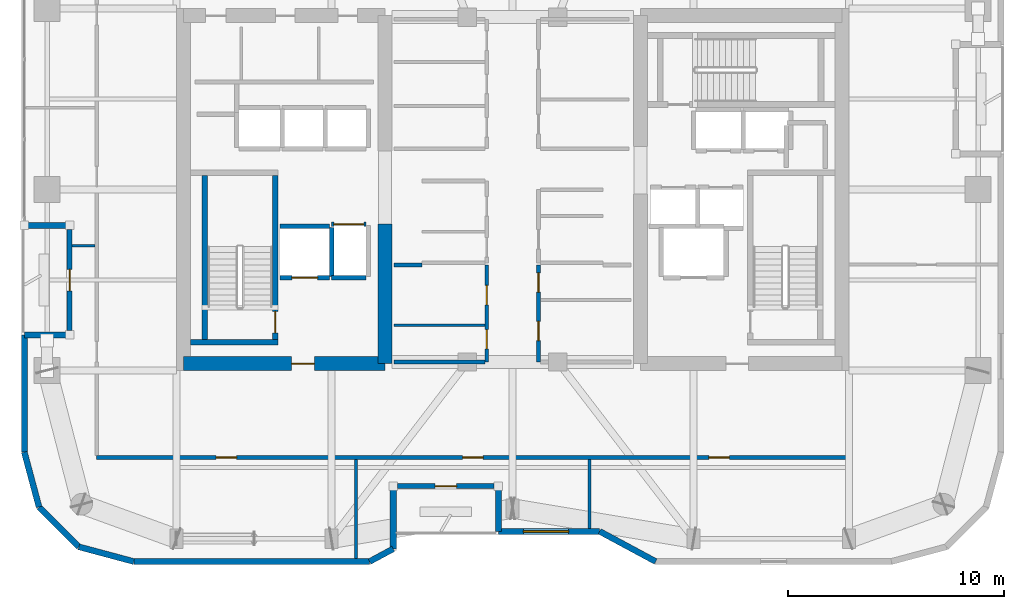
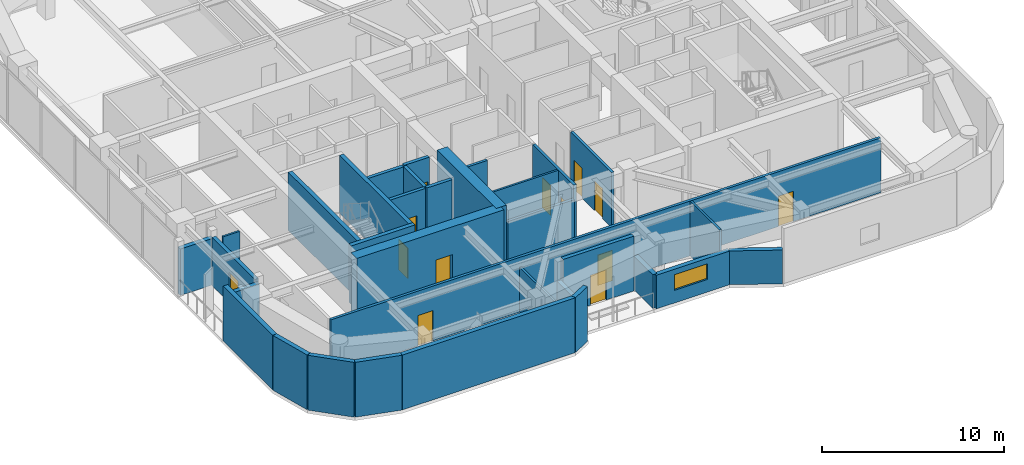
# One storey, part 15 of 21: 33 walls, 13 doors, 1 window, 14 openings.
"""IFC4 building model written with IfcOpenShell, lengths in metres."""

from ifc_helpers import new_model, si_unit, direction, frame, frame_2d, origin, place, context, subcontext, project, spatial, rectangle, extrude, material, layer, layer_set, type_object, element, fill, save


model = new_model("IFC4")

# Units and contexts
model_context = context("Model", 3, precision=1e-05, world=origin(), true_north=direction((0.0, 1.0)))
body_context = subcontext(model_context, "Body", "Model", "MODEL_VIEW")
ifc_project = project(units=[si_unit("LENGTHUNIT", "METRE"), si_unit("AREAUNIT", "SQUARE_METRE"), si_unit("VOLUMEUNIT", "CUBIC_METRE"), si_unit("PLANEANGLEUNIT", "RADIAN"), si_unit("MASSUNIT", "GRAM", prefix="KILO")], contexts=[model_context])

# Site, building, storey
site_placement = place(None, origin())
site = spatial("IfcSite", under=ifc_project, at=site_placement, CompositionType="ELEMENT")
building_placement = place(site_placement, origin())
building = spatial("IfcBuilding", under=site, at=building_placement, Name="Kiyonajd Concourse Tower", CompositionType="ELEMENT")
storey_placement = place(building_placement, frame((0.0, 0.0, 219.300048828125)))
storey = spatial("IfcBuildingStorey", under=building, at=storey_placement, Name="L55", CompositionType="ELEMENT", Elevation=219.300048828125)

# Wall
ifc_material_1 = material(Name="Concrete C60/75", Category="concrete")
ifc_layer_1 = layer(ifc_material_1, 0.64990234375)
ifc_layer_set_1 = layer_set([ifc_layer_1], Name="Concrete C60/75")
wall_type_1 = type_object("IfcWallType", Name="WL-CORE-650", PredefinedType="SHEAR", material=ifc_layer_set_1)
wall_1_placement = place(storey_placement, frame((42.074951171875, 27.925048828125, 0.0), z_axis=(0.0, 0.0, 1.0), x_axis=(0.0, 1.0, 0.0)))
element("IfcWall", 1, at=wall_1_placement, inside=storey, type_object=wall_type_1, Name="L55 West Core Inner South Shear Wall", PredefinedType="SHEAR", context=body_context, shape_type="SweptSolid", body=[
    extrude(rectangle(XDim=6.474853515625, YDim=0.64990234375, at=frame_2d((3.2373046875, 0.0))), origin(), (0.0, 0.0, 1.0), 3.89990234375),
])

# Wall, opening, door
wall_2_placement = place(storey_placement, frame((32.72509765625, 27.925048828125, 0.0), z_axis=(0.0, 0.0, 1.0), x_axis=(1.0, 0.0, 0.0)))
wall_2 = element("IfcWall", 2, at=wall_2_placement, inside=storey, type_object=wall_type_1, Name="L55 West Core South Shear Wall", PredefinedType="SHEAR", context=body_context, shape_type="SweptSolid", body=[
    extrude(rectangle(XDim=9.349853515625, YDim=0.64990234375, at=frame_2d((4.6748046875, 0.0))), origin(), (0.0, 0.0, 1.0), 3.89990234375),
])
opening_1_placement = place(wall_2_placement, frame((5.02490234375, 0.0, 0.0)))
opening_1 = element("IfcOpeningElement", 3, at=opening_1_placement, cuts=wall_2, Name="Opening DF5", PredefinedType="OPENING", context=body_context, shape_type="SweptSolid", body=[
    extrude(rectangle(XDim=1.050048828125, YDim=2.0400390625, at=frame_2d((0.52490234375, 1.02001953125))), frame((0.0, 0.3349609375, 0.0), z_axis=(0.0, -1.0, 0.0), x_axis=(1.0, 0.0, 0.0)), (0.0, 0.0, 1.0), 0.669921875),
])
ifc_material_2 = material(Name="Brushed Stainless Steel Cab Assembly", Category="steel")
door_type_1 = type_object("IfcDoorType", Name="DR-FD45-1050", OperationType="NOTDEFINED", PredefinedType="DOOR", material=ifc_material_2)
door_1_placement = place(opening_1_placement, origin())
door_1 = element("IfcDoor", 4, at=door_1_placement, inside=storey, type_object=door_type_1, Name="L55 Firefighting Lift Lobby W Smoke Door", OperationType="SINGLE_SWING_LEFT", OverallHeight=2.0400390625, OverallWidth=1.050048828125, PredefinedType="DOOR", context=body_context, shape_type="SweptSolid", body=[
    extrude(rectangle(XDim=1.050048828125, YDim=2.0400390625, at=frame_2d((0.52490234375, 1.02001953125))), frame((0.0, 0.02490234375, 0.0), z_axis=(0.0, -1.0, 0.0), x_axis=(1.0, 0.0, 0.0)), (0.0, 0.0, 1.0), 0.050048828125),
])
fill(opening_1, door_1)

# Walls
ifc_material_3 = material(Name="Precast concrete C50/60", Category="concrete")
ifc_layer_2 = layer(ifc_material_3, 0.280029296875)
ifc_layer_set_2 = layer_set([ifc_layer_2], Name="Precast concrete C50/60")
wall_type_2 = type_object("IfcWallType", Name="WL-EXT-280", PredefinedType="SOLIDWALL", material=ifc_layer_set_2)
wall_3_placement = place(storey_placement, frame((26.0224609375, 21.2724609375, 0.0), z_axis=(0.0, 0.0, 1.0), x_axis=(-0.2588904131, 0.965906700466, 0.0)))
element("IfcWall", 5, at=wall_3_placement, inside=storey, type_object=wall_type_2, Name="L55 Exterior Concrete Frame Wall 00", PredefinedType="SOLIDWALL", context=body_context, shape_type="SweptSolid", body=[
    extrude(rectangle(XDim=2.6357421875, YDim=0.280029296875, at=frame_2d((1.31787109375, 0.0))), origin(), (0.0, 0.0, 1.0), 3.679931640625),
])
wall_4_placement = place(storey_placement, frame((25.340087890625, 23.818359375, 0.0), z_axis=(0.0, 0.0, 1.0), x_axis=(0.0, 1.0, 0.0)))
element("IfcWall", 6, at=wall_4_placement, inside=storey, type_object=wall_type_2, Name="L55 Exterior Concrete Frame Wall 01", PredefinedType="SOLIDWALL", context=body_context, shape_type="SweptSolid", body=[
    extrude(rectangle(XDim=5.441650390625, YDim=0.280029296875, at=frame_2d((2.720703125, 0.0))), origin(), (0.0, 0.0, 1.0), 3.679931640625),
])
for number, where, z_axis, x_axis, name in (
    (7, (25.340087890625, 29.260009765625, 0.0), (0.0, 0.0, 1.0), (1.0, 0.0, 0.0), "L55 Exterior Concrete Frame Wall 02"),
    (8, (27.43994140625, 34.340087890625, 0.0), (0.0, 0.0, 1.0), (-1.0, 0.0, 0.0), "L55 Exterior Concrete Frame Wall 04"),
):
    element("IfcWall", number, at=place(storey_placement, frame(where, z_axis=z_axis, x_axis=x_axis)), inside=storey, type_object=wall_type_2, Name=name, PredefinedType="SOLIDWALL", context=body_context, shape_type="SweptSolid", body=[
        extrude(rectangle(XDim=2.099853515625, YDim=0.280029296875, at=frame_2d((1.0498046875, 0.0))), origin(), (0.0, 0.0, 1.0), 3.115966796875),
    ])
wall_5_placement = place(storey_placement, frame((54.63525390625, 18.739990234375, 0.0), z_axis=(0.0, 0.0, 1.0), x_axis=(-0.880473754814, 0.474094892488, 0.0)))
element("IfcWall", 9, at=wall_5_placement, inside=storey, type_object=wall_type_2, Name="L55 Exterior Concrete Frame Wall 29", PredefinedType="SOLIDWALL", context=body_context, shape_type="SweptSolid", body=[
    extrude(rectangle(XDim=2.952880859375, YDim=0.280029296875, at=frame_2d((1.4765625, 0.0))), origin(), (0.0, 0.0, 1.0), 2.264892578125),
])

# Wall, opening, window
wall_6_placement = place(storey_placement, frame((52.035400390625, 20.139892578125, 0.0), z_axis=(0.0, 0.0, 1.0), x_axis=(-1.0, 0.0, 0.0)))
wall_6 = element("IfcWall", 10, at=wall_6_placement, inside=storey, type_object=wall_type_2, Name="L55 Exterior Concrete Frame Wall 30", PredefinedType="SOLIDWALL", context=body_context, shape_type="SweptSolid", body=[
    extrude(rectangle(XDim=4.6953125, YDim=0.280029296875, at=frame_2d((2.34765625, 0.0))), origin(), (0.0, 0.0, 1.0), 2.264892578125),
])
opening_2_placement = place(wall_6_placement, frame((1.43505859375, 0.0, 0.85009765625)))
opening_2 = element("IfcOpeningElement", 11, at=opening_2_placement, cuts=wall_6, Name="Opening WN5", PredefinedType="OPENING", context=body_context, shape_type="SweptSolid", body=[
    extrude(rectangle(XDim=2.10009765625, YDim=1.050048828125, at=frame_2d((1.050048828125, 0.52490234375))), frame((0.0, 0.14990234375, 0.0), z_axis=(0.0, -1.0, 0.0), x_axis=(1.0, 0.0, 0.0)), (0.0, 0.0, 1.0), 0.300048828125),
])
ifc_material_4 = material(Name="Double Low-E Insulated Glass", Category="glass")
window_type = type_object("IfcWindowType", Name="WN-VIS-2100x1050", PartitioningType="SINGLE_PANEL", PredefinedType="WINDOW", material=ifc_material_4)
window_placement = place(opening_2_placement, origin())
window = element("IfcWindow", 12, at=window_placement, inside=storey, type_object=window_type, Name="L55 Modular Facade Vision Window 30", OverallHeight=1.050048828125, OverallWidth=2.10009765625, PartitioningType="SINGLE_PANEL", PredefinedType="WINDOW", context=body_context, shape_type="SweptSolid", body=[
    extrude(rectangle(XDim=2.10009765625, YDim=1.050048828125, at=frame_2d((1.050048828125, 0.52490234375))), frame((0.0, 0.030029296875, 0.0), z_axis=(0.0, -1.0, 0.0), x_axis=(1.0, 0.0, 0.0)), (0.0, 0.0, 1.0), 0.06005859375),
])
fill(opening_2, window)

# Walls
wall_7_placement = place(storey_placement, frame((47.340087890625, 20.139892578125, 0.0), z_axis=(0.0, 0.0, 1.0), x_axis=(0.0, 1.0, 0.0)))
element("IfcWall", 13, at=wall_7_placement, inside=storey, type_object=wall_type_2, Name="L55 Exterior Concrete Frame Wall 31", PredefinedType="SOLIDWALL", context=body_context, shape_type="SweptSolid", body=[
    extrude(rectangle(XDim=2.10009765625, YDim=0.280029296875, at=frame_2d((1.050048828125, 0.0))), origin(), (0.0, 0.0, 1.0), 2.264892578125),
])
wall_8_placement = place(storey_placement, frame((42.4599609375, 22.239990234375, 0.0), z_axis=(0.0, 0.0, 1.0), x_axis=(0.0, -1.0, 0.0)))
element("IfcWall", 14, at=wall_8_placement, inside=storey, type_object=wall_type_2, Name="L55 Exterior Concrete Frame Wall 33", PredefinedType="SOLIDWALL", context=body_context, shape_type="SweptSolid", body=[
    extrude(rectangle(XDim=2.910400390625, YDim=0.280029296875, at=frame_2d((1.455078125, 0.0))), origin(), (0.0, 0.0, 1.0), 2.264892578125),
])
wall_9_placement = place(storey_placement, frame((42.4599609375, 19.32958984375, 0.0), z_axis=(0.0, 0.0, 1.0), x_axis=(-0.880515214249, -0.474017887296, 0.0)))
element("IfcWall", 15, at=wall_9_placement, inside=storey, type_object=wall_type_2, Name="L55 Exterior Concrete Frame Wall 34", PredefinedType="SOLIDWALL", context=body_context, shape_type="SweptSolid", body=[
    extrude(rectangle(XDim=1.243896484375, YDim=0.280029296875, at=frame_2d((0.6220703125, 0.0))), origin(), (0.0, 0.0, 1.0), 3.679931640625),
])
wall_10_placement = place(storey_placement, frame((41.36474609375, 18.739990234375, 0.0), z_axis=(0.0, 0.0, 1.0), x_axis=(-1.0, 0.0, 0.0)))
element("IfcWall", 16, at=wall_10_placement, inside=storey, type_object=wall_type_2, Name="L55 Exterior Concrete Frame Wall 35", PredefinedType="SOLIDWALL", context=body_context, shape_type="SweptSolid", body=[
    extrude(rectangle(XDim=10.9462890625, YDim=0.280029296875, at=frame_2d((5.47314453125, 0.0))), origin(), (0.0, 0.0, 1.0), 3.679931640625),
])
wall_11_placement = place(storey_placement, frame((30.41845703125, 18.739990234375, 0.0), z_axis=(0.0, 0.0, 1.0), x_axis=(-0.965883534663, 0.258976828051, 0.0)))
element("IfcWall", 17, at=wall_11_placement, inside=storey, type_object=wall_type_2, Name="L55 Exterior Concrete Frame Wall 36", PredefinedType="SOLIDWALL", context=body_context, shape_type="SweptSolid", body=[
    extrude(rectangle(XDim=2.6357421875, YDim=0.280029296875, at=frame_2d((1.31787109375, 0.0))), origin(), (0.0, 0.0, 1.0), 3.679931640625),
])
wall_12_placement = place(storey_placement, frame((27.87255859375, 19.422607421875, 0.0), z_axis=(0.0, 0.0, 1.0), x_axis=(-0.707153437963, 0.707060121331, 0.0)))
element("IfcWall", 18, at=wall_12_placement, inside=storey, type_object=wall_type_2, Name="L55 Exterior Concrete Frame Wall 37", PredefinedType="SOLIDWALL", context=body_context, shape_type="SweptSolid", body=[
    extrude(rectangle(XDim=2.6162109375, YDim=0.280029296875, at=frame_2d((1.30810546875, 0.0))), origin(), (0.0, 0.0, 1.0), 3.679931640625),
])

# Wall, opening, door
ifc_layer_3 = layer(ifc_material_3, 0.239990234375)
ifc_layer_set_3 = layer_set([ifc_layer_3], Name="Precast concrete C50/60")
wall_type_3 = type_object("IfcWallType", Name="WL-LOG-240", PredefinedType="SOLIDWALL", material=ifc_layer_set_3)
wall_13_placement = place(storey_placement, frame((27.43994140625, 29.455078125, 0.0), z_axis=(0.0, 0.0, 1.0), x_axis=(0.0, 1.0, 0.0)))
wall_13 = element("IfcWall", 19, at=wall_13_placement, inside=storey, type_object=wall_type_3, Name="L55 Recessed Loggia Thermal Wall LOG-W", PredefinedType="SOLIDWALL", context=body_context, shape_type="SweptSolid", body=[
    extrude(rectangle(XDim=4.68994140625, YDim=0.239990234375, at=frame_2d((2.344970703125, 0.0))), origin(), (0.0, 0.0, 1.0), 3.248046875),
])
opening_3_placement = place(wall_13_placement, frame((1.844970703125, 0.0, 0.0)))
opening_3 = element("IfcOpeningElement", 20, at=opening_3_placement, cuts=wall_13, Name="Opening DL1", PredefinedType="OPENING", context=body_context, shape_type="SweptSolid", body=[
    extrude(rectangle(XDim=1.0, YDim=2.02001953125, at=frame_2d((0.5, 1.010009765625))), frame((0.0, 0.1298828125, 0.0), z_axis=(0.0, -1.0, 0.0), x_axis=(1.0, 0.0, 0.0)), (0.0, 0.0, 1.0), 0.260009765625),
])
ifc_material_5 = material(Name="Thermally Broken Anodised Aluminium", Category="aluminium")
door_type_2 = type_object("IfcDoorType", Name="DR-LOG-1000", OperationType="NOTDEFINED", PredefinedType="DOOR", material=ifc_material_5)
door_2_placement = place(opening_3_placement, origin())
door_2 = element("IfcDoor", 21, at=door_2_placement, inside=storey, type_object=door_type_2, Name="L55 Engawa Loggia Access Door LOG-W", OperationType="SINGLE_SWING_LEFT", OverallHeight=2.02001953125, OverallWidth=1.0, PredefinedType="DOOR", context=body_context, shape_type="SweptSolid", body=[
    extrude(rectangle(XDim=1.0, YDim=2.02001953125, at=frame_2d((0.5, 1.010009765625))), frame((0.0, 0.02490234375, 0.0), z_axis=(0.0, -1.0, 0.0), x_axis=(1.0, 0.0, 0.0)), (0.0, 0.0, 1.0), 0.050048828125),
])
fill(opening_3, door_2)

wall_14_placement = place(storey_placement, frame((47.14501953125, 22.239990234375, 0.0), z_axis=(0.0, 0.0, 1.0), x_axis=(-1.0, 0.0, 0.0)))
wall_14 = element("IfcWall", 22, at=wall_14_placement, inside=storey, type_object=wall_type_3, Name="L55 Recessed Loggia Thermal Wall LOG-S", PredefinedType="SOLIDWALL", context=body_context, shape_type="SweptSolid", body=[
    extrude(rectangle(XDim=4.489990234375, YDim=0.239990234375, at=frame_2d((2.2451171875, 0.0))), origin(), (0.0, 0.0, 1.0), 3.679931640625),
])
opening_4_placement = place(wall_14_placement, frame((1.7451171875, 0.0, 0.0)))
opening_4 = element("IfcOpeningElement", 23, at=opening_4_placement, cuts=wall_14, Name="Opening DL1", PredefinedType="OPENING", context=body_context, shape_type="SweptSolid", body=[
    extrude(rectangle(XDim=1.0, YDim=2.02001953125, at=frame_2d((0.5, 1.010009765625))), frame((0.0, 0.1298828125, 0.0), z_axis=(0.0, -1.0, 0.0), x_axis=(1.0, 0.0, 0.0)), (0.0, 0.0, 1.0), 0.260009765625),
])
door_3_placement = place(opening_4_placement, origin())
door_3 = element("IfcDoor", 24, at=door_3_placement, inside=storey, type_object=door_type_2, Name="L55 Engawa Loggia Access Door LOG-S", OperationType="SINGLE_SWING_RIGHT", OverallHeight=2.02001953125, OverallWidth=1.0, PredefinedType="DOOR", context=body_context, shape_type="SweptSolid", body=[
    extrude(rectangle(XDim=1.0, YDim=2.02001953125, at=frame_2d((0.5, 1.010009765625))), frame((0.0, 0.02490234375, 0.0), z_axis=(0.0, -1.0, 0.0), x_axis=(1.0, 0.0, 0.0)), (0.0, 0.0, 1.0), 0.050048828125),
])
fill(opening_4, door_3)

# Walls
ifc_material_6 = material(Name="Gypsum Board on Cold-Formed Steel Stud", Category="steel")
ifc_layer_4 = layer(ifc_material_6, 0.125)
ifc_layer_set_4 = layer_set([ifc_layer_4], Name="Gypsum Board on Cold-Formed Steel Stud")
wall_type_4 = type_object("IfcWallType", Name="WL-PART-125", PredefinedType="PARTITIONING", material=ifc_layer_set_4)
wall_15_placement = place(storey_placement, frame((42.5, 29.7099609375, 0.0), z_axis=(0.0, 0.0, 1.0), x_axis=(1.0, 0.0, 0.0)))
element("IfcWall", 25, at=wall_15_placement, inside=storey, type_object=wall_type_4, Name="L55 Interior Partition Wall", PredefinedType="PARTITIONING", context=body_context, shape_type="SweptSolid", body=[
    extrude(rectangle(XDim=4.212890625, YDim=0.125, at=frame_2d((2.1064453125, 0.0))), origin(), (0.0, 0.0, 1.0), 3.679931640625),
])
wall_16_placement = place(storey_placement, frame((40.72998046875, 18.875, 0.0), z_axis=(0.0, 0.0, 1.0), x_axis=(0.0, 1.0, 0.0)))
element("IfcWall", 26, at=wall_16_placement, inside=storey, type_object=wall_type_4, Name="L55 Interior Partition Wall", PredefinedType="PARTITIONING", context=body_context, shape_type="SweptSolid", body=[
    extrude(rectangle(XDim=4.60791015625, YDim=0.125, at=frame_2d((2.303955078125, 0.0))), origin(), (0.0, 0.0, 1.0), 3.04296875),
])
wall_17_placement = place(storey_placement, frame((51.570068359375, 20.27490234375, 0.0), z_axis=(0.0, 0.0, 1.0), x_axis=(0.0, 1.0, 0.0)))
element("IfcWall", 27, at=wall_17_placement, inside=storey, type_object=wall_type_4, Name="L55 Interior Partition Wall", PredefinedType="PARTITIONING", context=body_context, shape_type="SweptSolid", body=[
    extrude(rectangle(XDim=3.2080078125, YDim=0.125, at=frame_2d((1.60400390625, 0.0))), origin(), (0.0, 0.0, 1.0), 3.679931640625),
])
wall_18_placement = place(storey_placement, frame((27.554931640625, 33.39990234375, 0.0), z_axis=(0.0, 0.0, 1.0), x_axis=(1.0, 0.0, 0.0)))
element("IfcWall", 28, at=wall_18_placement, inside=storey, type_object=wall_type_4, Name="L55 Interior Partition Wall", PredefinedType="PARTITIONING", context=body_context, shape_type="SweptSolid", body=[
    extrude(rectangle(XDim=1.05810546875, YDim=0.125, at=frame_2d((0.529052734375, 0.0))), origin(), (0.0, 0.0, 1.0), 3.679931640625),
])

# Wall, opening, door
ifc_layer_5 = layer(ifc_material_6, 0.2099609375)
ifc_layer_set_5 = layer_set([ifc_layer_5], Name="Gypsum Board on Cold-Formed Steel Stud")
wall_type_5 = type_object("IfcWallType", Name="WL-SHAFT-210", PredefinedType="PARTITIONING", material=ifc_layer_set_5)
wall_19_placement = place(storey_placement, frame((37.199951171875, 31.89990234375, 0.0), z_axis=(0.0, 0.0, 1.0), x_axis=(1.0, 0.0, 0.0)))
wall_19 = element("IfcWall", 29, at=wall_19_placement, inside=storey, type_object=wall_type_5, Name="L55 Shaft Enclosure Wall", PredefinedType="PARTITIONING", context=body_context, shape_type="SweptSolid", body=[
    extrude(rectangle(XDim=2.300048828125, YDim=0.2099609375, at=frame_2d((1.14990234375, 0.0))), origin(), (0.0, 0.0, 1.0), 3.679931640625),
])
opening_5_placement = place(wall_19_placement, frame((0.550048828125, 0.0, 0.0)))
opening_5 = element("IfcOpeningElement", 30, at=opening_5_placement, cuts=wall_19, Name="Opening LD2", PredefinedType="OPENING", context=body_context, shape_type="SweptSolid", body=[
    extrude(rectangle(XDim=1.199951171875, YDim=2.0400390625, at=frame_2d((0.60009765625, 1.02001953125))), frame((0.0, 0.114990234375, 0.0), z_axis=(0.0, -1.0, 0.0), x_axis=(1.0, 0.0, 0.0)), (0.0, 0.0, 1.0), 0.22998046875),
])
door_type_3 = type_object("IfcDoorType", Name="DR-LD-1200", OperationType="DOUBLE_DOOR_SLIDING", PredefinedType="DOOR", material=ifc_material_2)
door_4_placement = place(opening_5_placement, origin())
door_4 = element("IfcDoor", 31, at=door_4_placement, inside=storey, type_object=door_type_3, Name="L55 Lift FFL1 Sliding Landing Door", OperationType="DOUBLE_DOOR_SLIDING", OverallHeight=2.0400390625, OverallWidth=1.199951171875, PredefinedType="DOOR", context=body_context, shape_type="SweptSolid", body=[
    extrude(rectangle(XDim=1.199951171875, YDim=2.0400390625, at=frame_2d((0.60009765625, 1.02001953125))), frame((0.0, 0.02490234375, 0.0), z_axis=(0.0, -1.0, 0.0), x_axis=(1.0, 0.0, 0.0)), (0.0, 0.0, 1.0), 0.050048828125),
])
fill(opening_5, door_4)

# Walls
wall_20_placement = place(storey_placement, frame((37.199951171875, 34.300048828125, 0.0), z_axis=(0.0, 0.0, 1.0), x_axis=(1.0, 0.0, 0.0)))
element("IfcWall", 32, at=wall_20_placement, inside=storey, type_object=wall_type_5, Name="L55 Shaft Enclosure Wall", PredefinedType="PARTITIONING", context=body_context, shape_type="SweptSolid", body=[
    extrude(rectangle(XDim=2.300048828125, YDim=0.2099609375, at=frame_2d((1.14990234375, 0.0))), origin(), (0.0, 0.0, 1.0), 3.679931640625),
])
wall_21_placement = place(storey_placement, frame((39.60009765625, 31.9599609375, 0.0), z_axis=(0.0, 0.0, 1.0), x_axis=(0.0, 1.0, 0.0)))
element("IfcWall", 33, at=wall_21_placement, inside=storey, type_object=wall_type_5, Name="L55 Shaft Enclosure Wall", PredefinedType="PARTITIONING", context=body_context, shape_type="SweptSolid", body=[
    extrude(rectangle(XDim=2.280029296875, YDim=0.2099609375, at=frame_2d((1.14013671875, 0.0))), origin(), (0.0, 0.0, 1.0), 3.679931640625),
])

# Wall, opening, door
wall_22_placement = place(storey_placement, frame((39.60009765625, 34.39990234375, 0.0), z_axis=(0.0, 0.0, 1.0), x_axis=(1.0, 0.0, 0.0)))
wall_22 = element("IfcWall", 34, at=wall_22_placement, inside=storey, type_object=wall_type_5, Name="L55 Shaft Enclosure Wall", PredefinedType="PARTITIONING", context=body_context, shape_type="SweptSolid", body=[
    extrude(rectangle(XDim=1.599853515625, YDim=0.2099609375, at=frame_2d((0.7998046875, 0.0))), origin(), (0.0, 0.0, 1.0), 3.679931640625),
])
opening_6_placement = place(wall_22_placement, frame((0.10009765625, 0.0, 0.0)))
opening_6 = element("IfcOpeningElement", 35, at=opening_6_placement, cuts=wall_22, Name="Opening LD3", PredefinedType="OPENING", context=body_context, shape_type="SweptSolid", body=[
    extrude(rectangle(XDim=1.39990234375, YDim=2.06005859375, at=frame_2d((0.699951171875, 1.030029296875))), frame((0.0, 0.114990234375, 0.0), z_axis=(0.0, -1.0, 0.0), x_axis=(1.0, 0.0, 0.0)), (0.0, 0.0, 1.0), 0.22998046875),
])
door_type_4 = type_object("IfcDoorType", Name="DR-LD-1400", OperationType="DOUBLE_DOOR_SLIDING", PredefinedType="DOOR", material=ifc_material_2)
door_5_placement = place(opening_6_placement, origin())
door_5 = element("IfcDoor", 36, at=door_5_placement, inside=storey, type_object=door_type_4, Name="L55 Lift SVL1 Sliding Landing Door", OperationType="DOUBLE_DOOR_SLIDING", OverallHeight=2.06005859375, OverallWidth=1.39990234375, PredefinedType="DOOR", context=body_context, shape_type="SweptSolid", body=[
    extrude(rectangle(XDim=1.39990234375, YDim=2.06005859375, at=frame_2d((0.699951171875, 1.030029296875))), frame((0.0, 0.02490234375, 0.0), z_axis=(0.0, -1.0, 0.0), x_axis=(1.0, 0.0, 0.0)), (0.0, 0.0, 1.0), 0.050048828125),
])
fill(opening_6, door_5)

# Wall
wall_23_placement = place(storey_placement, frame((39.60009765625, 31.89990234375, 0.0), z_axis=(0.0, 0.0, 1.0), x_axis=(1.0, 0.0, 0.0)))
element("IfcWall", 37, at=wall_23_placement, inside=storey, type_object=wall_type_5, Name="L55 Shaft Enclosure Wall", PredefinedType="PARTITIONING", context=body_context, shape_type="SweptSolid", body=[
    extrude(rectangle(XDim=1.599853515625, YDim=0.2099609375, at=frame_2d((0.7998046875, 0.0))), origin(), (0.0, 0.0, 1.0), 3.679931640625),
])

# Wall, openings, doors
ifc_layer_6 = layer(ifc_material_6, 0.169921875)
ifc_layer_set_6 = layer_set([ifc_layer_6], Name="Gypsum Board on Cold-Formed Steel Stud")
wall_type_6 = type_object("IfcWallType", Name="WL-SMK-170", PredefinedType="PARTITIONING", material=ifc_layer_set_6)
wall_24_placement = place(storey_placement, frame((46.800048828125, 28.0, 0.0), z_axis=(0.0, 0.0, 1.0), x_axis=(0.0, 1.0, 0.0)))
wall_24 = element("IfcWall", 38, at=wall_24_placement, inside=storey, type_object=wall_type_6, Name="L55 Interior Partition Wall", PredefinedType="PARTITIONING", context=body_context, shape_type="SweptSolid", body=[
    extrude(rectangle(XDim=4.5, YDim=0.169921875, at=frame_2d((2.25, 0.0))), origin(), (0.0, 0.0, 1.0), 3.679931640625),
])
opening_7_placement = place(wall_24_placement, frame((0.60498046875, 0.0, 0.0)))
opening_7 = element("IfcOpeningElement", 39, at=opening_7_placement, cuts=wall_24, Name="Opening DI2", PredefinedType="OPENING", context=body_context, shape_type="SweptSolid", body=[
    extrude(rectangle(XDim=0.89990234375, YDim=2.02001953125, at=frame_2d((0.449951171875, 1.010009765625))), frame((0.0, 0.094970703125, 0.0), z_axis=(0.0, -1.0, 0.0), x_axis=(1.0, 0.0, 0.0)), (0.0, 0.0, 1.0), 0.18994140625),
])
opening_8_placement = place(wall_24_placement, frame((2.655029296875, 0.0, 0.0)))
opening_8 = element("IfcOpeningElement", 40, at=opening_8_placement, cuts=wall_24, Name="Opening DI2", PredefinedType="OPENING", context=body_context, shape_type="SweptSolid", body=[
    extrude(rectangle(XDim=0.89990234375, YDim=2.02001953125, at=frame_2d((0.449951171875, 1.010009765625))), frame((0.0, 0.094970703125, 0.0), z_axis=(0.0, -1.0, 0.0), x_axis=(1.0, 0.0, 0.0)), (0.0, 0.0, 1.0), 0.18994140625),
])
ifc_material_7 = material(Name="Natural Oak Acoustic Timber Veneer", Category="wood")
door_type_5 = type_object("IfcDoorType", Name="DR-INT-900", OperationType="NOTDEFINED", PredefinedType="DOOR", material=ifc_material_7)
door_6_placement = place(opening_7_placement, origin())
door_6 = element("IfcDoor", 41, at=door_6_placement, inside=storey, type_object=door_type_5, Name="L55 Interior Door", OperationType="SINGLE_SWING_LEFT", OverallHeight=2.02001953125, OverallWidth=0.89990234375, PredefinedType="DOOR", context=body_context, shape_type="SweptSolid", body=[
    extrude(rectangle(XDim=0.89990234375, YDim=2.02001953125, at=frame_2d((0.449951171875, 1.010009765625))), frame((0.0, 0.02490234375, 0.0), z_axis=(0.0, -1.0, 0.0), x_axis=(1.0, 0.0, 0.0)), (0.0, 0.0, 1.0), 0.050048828125),
])
fill(opening_7, door_6)
door_7_placement = place(opening_8_placement, origin())
door_7 = element("IfcDoor", 42, at=door_7_placement, inside=storey, type_object=door_type_5, Name="L55 Interior Door", OperationType="SINGLE_SWING_RIGHT", OverallHeight=2.02001953125, OverallWidth=0.89990234375, PredefinedType="DOOR", context=body_context, shape_type="SweptSolid", body=[
    extrude(rectangle(XDim=0.89990234375, YDim=2.02001953125, at=frame_2d((0.449951171875, 1.010009765625))), frame((0.0, 0.02490234375, 0.0), z_axis=(0.0, -1.0, 0.0), x_axis=(1.0, 0.0, 0.0)), (0.0, 0.0, 1.0), 0.050048828125),
])
fill(opening_8, door_7)

# Walls
wall_25_placement = place(storey_placement, frame((42.5, 28.0, 0.0), z_axis=(0.0, 0.0, 1.0), x_axis=(1.0, 0.0, 0.0)))
element("IfcWall", 43, at=wall_25_placement, inside=storey, type_object=wall_type_6, Name="L55 Interior Partition Wall", PredefinedType="PARTITIONING", context=body_context, shape_type="SweptSolid", body=[
    extrude(rectangle(XDim=4.212890625, YDim=0.169921875, at=frame_2d((2.1064453125, 0.0))), origin(), (0.0, 0.0, 1.0), 2.764892578125),
])
wall_26_placement = place(storey_placement, frame((42.5, 32.5, 0.0), z_axis=(0.0, 0.0, 1.0), x_axis=(1.0, 0.0, 0.0)))
element("IfcWall", 44, at=wall_26_placement, inside=storey, type_object=wall_type_6, Name="L55 Interior Partition Wall", PredefinedType="PARTITIONING", context=body_context, shape_type="SweptSolid", body=[
    extrude(rectangle(XDim=1.300048828125, YDim=0.169921875, at=frame_2d((0.64990234375, 0.0))), origin(), (0.0, 0.0, 1.0), 3.679931640625),
])

# Wall, openings, doors
wall_27_placement = place(storey_placement, frame((49.199951171875, 28.0, 0.0), z_axis=(0.0, 0.0, 1.0), x_axis=(0.0, 1.0, 0.0)))
wall_27 = element("IfcWall", 45, at=wall_27_placement, inside=storey, type_object=wall_type_6, Name="L55 Interior Partition Wall", PredefinedType="PARTITIONING", context=body_context, shape_type="SweptSolid", body=[
    extrude(rectangle(XDim=4.5, YDim=0.169921875, at=frame_2d((2.25, 0.0))), origin(), (0.0, 0.0, 1.0), 3.679931640625),
])
opening_9_placement = place(wall_27_placement, frame((0.989990234375, 0.0, 0.0)))
opening_9 = element("IfcOpeningElement", 46, at=opening_9_placement, cuts=wall_27, Name="Opening DF4", PredefinedType="OPENING", context=body_context, shape_type="SweptSolid", body=[
    extrude(rectangle(XDim=0.89990234375, YDim=2.02001953125, at=frame_2d((0.449951171875, 1.010009765625))), frame((0.0, 0.094970703125, 0.0), z_axis=(0.0, -1.0, 0.0), x_axis=(1.0, 0.0, 0.0)), (0.0, 0.0, 1.0), 0.18994140625),
])
opening_10_placement = place(wall_27_placement, frame((3.239990234375, 0.0, 0.0)))
opening_10 = element("IfcOpeningElement", 47, at=opening_10_placement, cuts=wall_27, Name="Opening DF4", PredefinedType="OPENING", context=body_context, shape_type="SweptSolid", body=[
    extrude(rectangle(XDim=0.89990234375, YDim=2.02001953125, at=frame_2d((0.449951171875, 1.010009765625))), frame((0.0, 0.094970703125, 0.0), z_axis=(0.0, -1.0, 0.0), x_axis=(1.0, 0.0, 0.0)), (0.0, 0.0, 1.0), 0.18994140625),
])
door_type_6 = type_object("IfcDoorType", Name="DR-FD60-900", OperationType="NOTDEFINED", PredefinedType="DOOR", material=ifc_material_2)
door_8_placement = place(opening_9_placement, origin())
door_8 = element("IfcDoor", 48, at=door_8_placement, inside=storey, type_object=door_type_6, Name="L55 Interior Door", OperationType="SINGLE_SWING_LEFT", OverallHeight=2.02001953125, OverallWidth=0.89990234375, PredefinedType="DOOR", context=body_context, shape_type="SweptSolid", body=[
    extrude(rectangle(XDim=0.89990234375, YDim=2.02001953125, at=frame_2d((0.449951171875, 1.010009765625))), frame((0.0, 0.02490234375, 0.0), z_axis=(0.0, -1.0, 0.0), x_axis=(1.0, 0.0, 0.0)), (0.0, 0.0, 1.0), 0.050048828125),
])
fill(opening_9, door_8)
door_9_placement = place(opening_10_placement, origin())
door_9 = element("IfcDoor", 49, at=door_9_placement, inside=storey, type_object=door_type_6, Name="L55 Interior Door", OperationType="SINGLE_SWING_RIGHT", OverallHeight=2.02001953125, OverallWidth=0.89990234375, PredefinedType="DOOR", context=body_context, shape_type="SweptSolid", body=[
    extrude(rectangle(XDim=0.89990234375, YDim=2.02001953125, at=frame_2d((0.449951171875, 1.010009765625))), frame((0.0, 0.02490234375, 0.0), z_axis=(0.0, -1.0, 0.0), x_axis=(1.0, 0.0, 0.0)), (0.0, 0.0, 1.0), 0.050048828125),
])
fill(opening_10, door_9)

wall_28_placement = place(storey_placement, frame((28.699951171875, 23.570068359375, 0.0), z_axis=(0.0, 0.0, 1.0), x_axis=(1.0, 0.0, 0.0)))
wall_28 = element("IfcWall", 50, at=wall_28_placement, inside=storey, type_object=wall_type_6, Name="L55 Interior Partition Wall", PredefinedType="PARTITIONING", context=body_context, shape_type="SweptSolid", body=[
    extrude(rectangle(XDim=34.900146484375, YDim=0.169921875, at=frame_2d((17.4501953125, 0.0))), origin(), (0.0, 0.0, 1.0), 3.679931640625),
])
opening_11_placement = place(wall_28_placement, frame((5.5400390625, 0.0, 0.0)))
opening_11 = element("IfcOpeningElement", 51, at=opening_11_placement, cuts=wall_28, Name="Opening DI1", PredefinedType="OPENING", context=body_context, shape_type="SweptSolid", body=[
    extrude(rectangle(XDim=0.949951171875, YDim=2.0400390625, at=frame_2d((0.47509765625, 1.02001953125))), frame((0.0, 0.094970703125, 0.0), z_axis=(0.0, -1.0, 0.0), x_axis=(1.0, 0.0, 0.0)), (0.0, 0.0, 1.0), 0.18994140625),
])
opening_12_placement = place(wall_28_placement, frame((16.97509765625, 0.0, 0.0)))
opening_12 = element("IfcOpeningElement", 52, at=opening_12_placement, cuts=wall_28, Name="Opening DI1", PredefinedType="OPENING", context=body_context, shape_type="SweptSolid", body=[
    extrude(rectangle(XDim=0.949951171875, YDim=2.0400390625, at=frame_2d((0.47509765625, 1.02001953125))), frame((0.0, 0.094970703125, 0.0), z_axis=(0.0, -1.0, 0.0), x_axis=(1.0, 0.0, 0.0)), (0.0, 0.0, 1.0), 0.18994140625),
])
opening_13_placement = place(wall_28_placement, frame((28.409912109375, 0.0, 0.0)))
opening_13 = element("IfcOpeningElement", 53, at=opening_13_placement, cuts=wall_28, Name="Opening DI1", PredefinedType="OPENING", context=body_context, shape_type="SweptSolid", body=[
    extrude(rectangle(XDim=0.949951171875, YDim=2.0400390625, at=frame_2d((0.47509765625, 1.02001953125))), frame((0.0, 0.094970703125, 0.0), z_axis=(0.0, -1.0, 0.0), x_axis=(1.0, 0.0, 0.0)), (0.0, 0.0, 1.0), 0.18994140625),
])
door_type_7 = type_object("IfcDoorType", Name="DR-INT-950", OperationType="NOTDEFINED", PredefinedType="DOOR", material=ifc_material_7)
door_10_placement = place(opening_11_placement, origin())
door_10 = element("IfcDoor", 54, at=door_10_placement, inside=storey, type_object=door_type_7, Name="L55 Interior Door", OperationType="SINGLE_SWING_RIGHT", OverallHeight=2.0400390625, OverallWidth=0.949951171875, PredefinedType="DOOR", context=body_context, shape_type="SweptSolid", body=[
    extrude(rectangle(XDim=0.949951171875, YDim=2.0400390625, at=frame_2d((0.47509765625, 1.02001953125))), frame((0.0, 0.02490234375, 0.0), z_axis=(0.0, -1.0, 0.0), x_axis=(1.0, 0.0, 0.0)), (0.0, 0.0, 1.0), 0.050048828125),
])
fill(opening_11, door_10)
door_11_placement = place(opening_12_placement, origin())
door_11 = element("IfcDoor", 55, at=door_11_placement, inside=storey, type_object=door_type_7, Name="L55 Interior Door", OperationType="SINGLE_SWING_LEFT", OverallHeight=2.0400390625, OverallWidth=0.949951171875, PredefinedType="DOOR", context=body_context, shape_type="SweptSolid", body=[
    extrude(rectangle(XDim=0.949951171875, YDim=2.0400390625, at=frame_2d((0.47509765625, 1.02001953125))), frame((0.0, 0.02490234375, 0.0), z_axis=(0.0, -1.0, 0.0), x_axis=(1.0, 0.0, 0.0)), (0.0, 0.0, 1.0), 0.050048828125),
])
fill(opening_12, door_11)
door_12_placement = place(opening_13_placement, origin())
door_12 = element("IfcDoor", 56, at=door_12_placement, inside=storey, type_object=door_type_7, Name="L55 Interior Door", OperationType="SINGLE_SWING_RIGHT", OverallHeight=2.0400390625, OverallWidth=0.949951171875, PredefinedType="DOOR", context=body_context, shape_type="SweptSolid", body=[
    extrude(rectangle(XDim=0.949951171875, YDim=2.0400390625, at=frame_2d((0.47509765625, 1.02001953125))), frame((0.0, 0.02490234375, 0.0), z_axis=(0.0, -1.0, 0.0), x_axis=(1.0, 0.0, 0.0)), (0.0, 0.0, 1.0), 0.050048828125),
])
fill(opening_13, door_12)

# Walls
ifc_material_8 = material(Name="Concrete C50/60", Category="concrete")
ifc_layer_7 = layer(ifc_material_8, 0.260009765625)
ifc_layer_set_7 = layer_set([ifc_layer_7], Name="Concrete C50/60")
wall_type_7 = type_object("IfcWallType", Name="WL-STAIR-260", PredefinedType="SHEAR", material=ifc_layer_set_7)
wall_29_placement = place(storey_placement, frame((33.050048828125, 28.919921875, 0.0), z_axis=(0.0, 0.0, 1.0), x_axis=(1.0, 0.0, 0.0)))
element("IfcWall", 57, at=wall_29_placement, inside=storey, type_object=wall_type_7, Name="L55 Stair ST1 Structural South Wall", PredefinedType="SHEAR", context=body_context, shape_type="SweptSolid", body=[
    extrude(rectangle(XDim=4.06005859375, YDim=0.260009765625, at=frame_2d((2.030029296875, 0.0))), origin(), (0.0, 0.0, 1.0), 3.89990234375),
])
wall_30_placement = place(storey_placement, frame((33.719970703125, 29.050048828125, 0.0), z_axis=(0.0, 0.0, 1.0), x_axis=(0.0, 1.0, 0.0)))
element("IfcWall", 58, at=wall_30_placement, inside=storey, type_object=wall_type_7, Name="L55 Stair ST1 Structural West Wall", PredefinedType="SHEAR", context=body_context, shape_type="SweptSolid", body=[
    extrude(rectangle(XDim=7.599853515625, YDim=0.260009765625, at=frame_2d((3.7998046875, 0.0))), origin(), (0.0, 0.0, 1.0), 3.89990234375),
])

# Wall, opening, door
wall_31_placement = place(storey_placement, frame((36.97998046875, 29.050048828125, 0.0), z_axis=(0.0, 0.0, 1.0), x_axis=(0.0, 1.0, 0.0)))
wall_31 = element("IfcWall", 59, at=wall_31_placement, inside=storey, type_object=wall_type_7, Name="L55 Stair ST1 Structural East Wall", PredefinedType="SHEAR", context=body_context, shape_type="SweptSolid", body=[
    extrude(rectangle(XDim=7.599853515625, YDim=0.260009765625, at=frame_2d((3.7998046875, 0.0))), origin(), (0.0, 0.0, 1.0), 3.89990234375),
])
opening_14_placement = place(wall_31_placement, frame((0.300048828125, 0.0, 0.0)))
opening_14 = element("IfcOpeningElement", 60, at=opening_14_placement, cuts=wall_31, Name="Opening DF1", PredefinedType="OPENING", context=body_context, shape_type="SweptSolid", body=[
    extrude(rectangle(XDim=1.0, YDim=2.0400390625, at=frame_2d((0.5, 1.02001953125))), frame((0.0, 0.139892578125, 0.0), z_axis=(0.0, -1.0, 0.0), x_axis=(1.0, 0.0, 0.0)), (0.0, 0.0, 1.0), 0.280029296875),
])
door_type_8 = type_object("IfcDoorType", Name="DR-FD90-1000", OperationType="NOTDEFINED", PredefinedType="DOOR", material=ifc_material_2)
door_13_placement = place(opening_14_placement, origin())
door_13 = element("IfcDoor", 61, at=door_13_placement, inside=storey, type_object=door_type_8, Name="L55 Stair ST1 FSAE Door", OperationType="SINGLE_SWING_LEFT", OverallHeight=2.0400390625, OverallWidth=1.0, PredefinedType="DOOR", context=body_context, shape_type="SweptSolid", body=[
    extrude(rectangle(XDim=1.0, YDim=2.0400390625, at=frame_2d((0.5, 1.02001953125))), frame((0.0, 0.02490234375, 0.0), z_axis=(0.0, -1.0, 0.0), x_axis=(1.0, 0.0, 0.0)), (0.0, 0.0, 1.0), 0.050048828125),
])
fill(opening_14, door_13)

save(model, "model.ifc")
